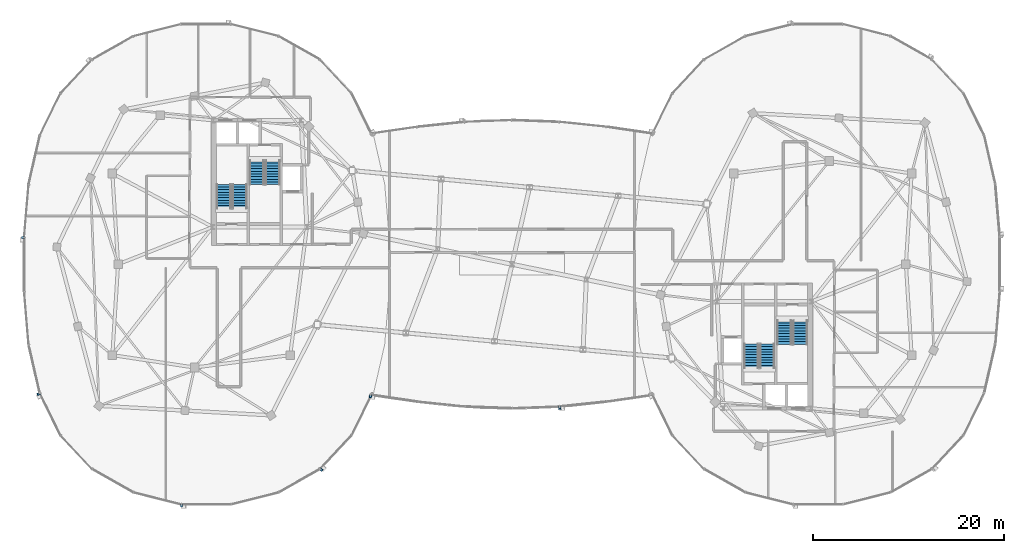
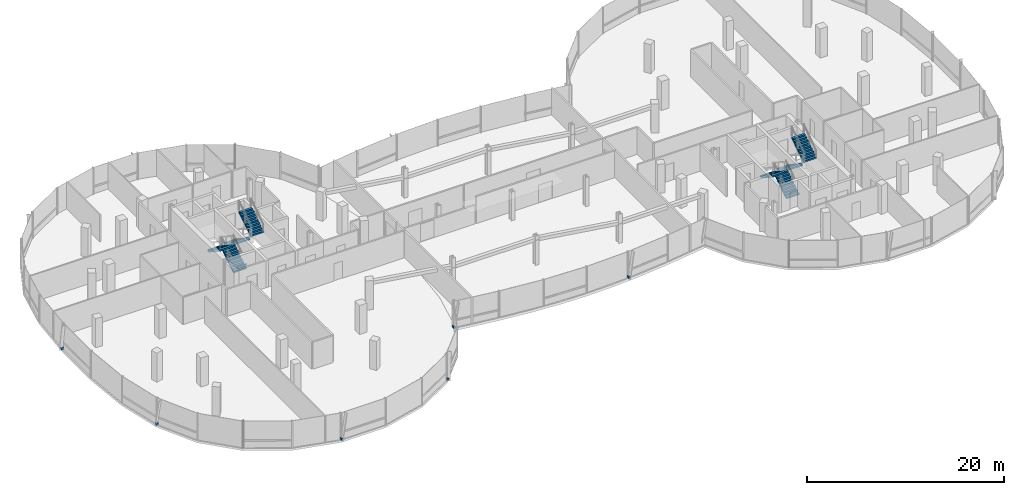
# One storey, part 17 of 25: 8 stair flights, 6 discrete accessories, 4 elements without a shape of their own.
"""IFC4 building model written with IfcOpenShell, lengths in metres."""

from ifc_helpers import new_model, si_unit, direction, frame, origin, origin_2d, place, context, subcontext, project, spatial, polyline, rectangle, outline, extrude, material, type_object, element, aggregate, save


model = new_model("IFC4")

# Units and contexts
model_context = context("Model", 3, precision=1e-05, world=origin(), true_north=direction((0.0, 1.0)))
body_context = subcontext(model_context, "Body", "Model", "MODEL_VIEW")
ifc_project = project(units=[si_unit("LENGTHUNIT", "METRE"), si_unit("AREAUNIT", "SQUARE_METRE"), si_unit("VOLUMEUNIT", "CUBIC_METRE"), si_unit("PLANEANGLEUNIT", "RADIAN"), si_unit("MASSUNIT", "GRAM", prefix="KILO"), si_unit("THERMODYNAMICTEMPERATUREUNIT", "KELVIN"), si_unit("POWERUNIT", "WATT")], contexts=[model_context])

# Site, building, storey
site_placement = place(None, origin())
site = spatial("IfcSite", under=ifc_project, at=site_placement, CompositionType="ELEMENT")
building_placement = place(site_placement, origin())
building = spatial("IfcBuilding", under=site, at=building_placement, Name="Cundina Bronze Exchange", CompositionType="ELEMENT")
storey_placement = place(building_placement, frame((0.0, 0.0, 239.60009765625)))
storey = spatial("IfcBuildingStorey", under=building, at=storey_placement, Name="L63", CompositionType="ELEMENT", Elevation=239.60009765625)

# Stair, stair flights
ifc_material_1 = material(Name="Concrete C40/50", Category="concrete")
stair_type = type_object("IfcStairType", Name="STR-OFF-360", PredefinedType="HALF_TURN_STAIR", material=ifc_material_1)
stair_1_placement = place(storey_placement, origin())
stair_1 = element("IfcStair", 1, at=stair_1_placement, inside=storey, type_object=stair_type, Name="L63 Smokeproof Exit Stair W1", PredefinedType="HALF_TURN_STAIR")
stair_flight_type = type_object("IfcStairFlightType", Name="FLG-OFF-180", PredefinedType="STRAIGHT", material=ifc_material_1)
stair_flight_1_placement = place(storey_placement, frame((-28.489990234375, 5.85009765625, 0.0), z_axis=(0.0, 0.0, 1.0), x_axis=(0.0, 1.0, 0.0)))
stair_flight_1 = element("IfcStairFlight", 2, at=stair_flight_1_placement, type_object=stair_flight_type, Name="ST-W1 flight 1", NumberOfRisers=10, NumberOfTreads=9, PredefinedType="STRAIGHT", RiserHeight=0.18, TreadLength=0.28, context=body_context, shape_type="SweptSolid", body=[
    extrude(outline(polyline([(0.0, 0.0), (0.0, 0.179931640625), (0.280029296875, 0.179931640625), (0.280029296875, 0.360107421875), (0.56005859375, 0.360107421875), (0.56005859375, 0.5400390625), (0.840087890625, 0.5400390625), (0.840087890625, 0.719970703125), (1.1201171875, 0.719970703125), (1.1201171875, 0.89990234375), (1.39990234375, 0.89990234375), (1.39990234375, 1.080078125), (1.679931640625, 1.080078125), (1.679931640625, 1.260009765625), (1.9599609375, 1.260009765625), (1.9599609375, 1.43994140625), (2.239990234375, 1.43994140625), (2.239990234375, 1.6201171875), (2.52001953125, 1.6201171875), (2.52001953125, 1.800048828125), (2.52001953125, 1.44189453125), (0.277099609375, 0.0), (0.0, 0.0)])), frame((0.0, 0.75, 0.0), z_axis=(0.0, -1.0, 0.0), x_axis=(1.0, 0.0, 0.0)), (0.0, 0.0, 1.0), 1.5),
])
stair_flight_2_placement = place(storey_placement, frame((-30.14990234375, 8.3701171875, 1.7998046875), z_axis=(0.0, 0.0, 1.0), x_axis=(0.0, -1.0, 0.0)))
stair_flight_2 = element("IfcStairFlight", 3, at=stair_flight_2_placement, type_object=stair_flight_type, Name="ST-W1 flight 2", NumberOfRisers=10, NumberOfTreads=9, PredefinedType="STRAIGHT", RiserHeight=0.18, TreadLength=0.28, context=body_context, shape_type="SweptSolid", body=[
    extrude(outline(polyline([(0.0, 0.0), (0.0, 0.179931640625), (0.280029296875, 0.179931640625), (0.280029296875, 0.360107421875), (0.56005859375, 0.360107421875), (0.56005859375, 0.5400390625), (0.840087890625, 0.5400390625), (0.840087890625, 0.719970703125), (1.1201171875, 0.719970703125), (1.1201171875, 0.89990234375), (1.39990234375, 0.89990234375), (1.39990234375, 1.080078125), (1.679931640625, 1.080078125), (1.679931640625, 1.260009765625), (1.9599609375, 1.260009765625), (1.9599609375, 1.43994140625), (2.239990234375, 1.43994140625), (2.239990234375, 1.6201171875), (2.52001953125, 1.6201171875), (2.52001953125, 1.800048828125), (2.52001953125, 1.44189453125), (0.277099609375, 0.0), (0.0, 0.0)])), frame((0.0, 0.75, 0.0), z_axis=(0.0, -1.0, 0.0), x_axis=(1.0, 0.0, 0.0)), (0.0, 0.0, 1.0), 1.5),
])
aggregate(stair_1, [stair_flight_1, stair_flight_2])

stair_2_placement = place(storey_placement, origin())
stair_2 = element("IfcStair", 4, at=stair_2_placement, inside=storey, type_object=stair_type, Name="L63 Smokeproof Exit Stair W2", PredefinedType="HALF_TURN_STAIR")
stair_flight_3_placement = place(storey_placement, frame((-26.68994140625, 10.85009765625, 0.0), z_axis=(0.0, 0.0, 1.0), x_axis=(0.0, -1.0, 0.0)))
stair_flight_3 = element("IfcStairFlight", 5, at=stair_flight_3_placement, type_object=stair_flight_type, Name="ST-W2 flight 1", NumberOfRisers=10, NumberOfTreads=9, PredefinedType="STRAIGHT", RiserHeight=0.18, TreadLength=0.28, context=body_context, shape_type="SweptSolid", body=[
    extrude(outline(polyline([(0.0, 0.0), (0.0, 0.179931640625), (0.280029296875, 0.179931640625), (0.280029296875, 0.360107421875), (0.56005859375, 0.360107421875), (0.56005859375, 0.5400390625), (0.840087890625, 0.5400390625), (0.840087890625, 0.719970703125), (1.1201171875, 0.719970703125), (1.1201171875, 0.89990234375), (1.39990234375, 0.89990234375), (1.39990234375, 1.080078125), (1.679931640625, 1.080078125), (1.679931640625, 1.260009765625), (1.9599609375, 1.260009765625), (1.9599609375, 1.43994140625), (2.239990234375, 1.43994140625), (2.239990234375, 1.6201171875), (2.52001953125, 1.6201171875), (2.52001953125, 1.800048828125), (2.52001953125, 1.44189453125), (0.277099609375, 0.0), (0.0, 0.0)])), frame((0.0, 0.75, 0.0), z_axis=(0.0, -1.0, 0.0), x_axis=(1.0, 0.0, 0.0)), (0.0, 0.0, 1.0), 1.5),
])
stair_flight_4_placement = place(storey_placement, frame((-25.030029296875, 8.330078125, 1.7998046875), z_axis=(0.0, 0.0, 1.0), x_axis=(0.0, 1.0, 0.0)))
stair_flight_4 = element("IfcStairFlight", 6, at=stair_flight_4_placement, type_object=stair_flight_type, Name="ST-W2 flight 2", NumberOfRisers=10, NumberOfTreads=9, PredefinedType="STRAIGHT", RiserHeight=0.18, TreadLength=0.28, context=body_context, shape_type="SweptSolid", body=[
    extrude(outline(polyline([(0.0, 0.0), (0.0, 0.179931640625), (0.280029296875, 0.179931640625), (0.280029296875, 0.360107421875), (0.56005859375, 0.360107421875), (0.56005859375, 0.5400390625), (0.840087890625, 0.5400390625), (0.840087890625, 0.719970703125), (1.1201171875, 0.719970703125), (1.1201171875, 0.89990234375), (1.39990234375, 0.89990234375), (1.39990234375, 1.080078125), (1.679931640625, 1.080078125), (1.679931640625, 1.260009765625), (1.9599609375, 1.260009765625), (1.9599609375, 1.43994140625), (2.239990234375, 1.43994140625), (2.239990234375, 1.6201171875), (2.52001953125, 1.6201171875), (2.52001953125, 1.800048828125), (2.52001953125, 1.44189453125), (0.277099609375, 0.0), (0.0, 0.0)])), frame((0.0, 0.75, 0.0), z_axis=(0.0, -1.0, 0.0), x_axis=(1.0, 0.0, 0.0)), (0.0, 0.0, 1.0), 1.5),
])
aggregate(stair_2, [stair_flight_3, stair_flight_4])

stair_3_placement = place(storey_placement, origin())
stair_3 = element("IfcStair", 7, at=stair_3_placement, inside=storey, type_object=stair_type, Name="L63 Smokeproof Exit Stair E1", PredefinedType="HALF_TURN_STAIR")
stair_flight_5_placement = place(storey_placement, frame((28.489990234375, -5.85009765625, 0.0), z_axis=(0.0, 0.0, 1.0), x_axis=(0.0, -1.0, 0.0)))
stair_flight_5 = element("IfcStairFlight", 8, at=stair_flight_5_placement, type_object=stair_flight_type, Name="ST-E1 flight 1", NumberOfRisers=10, NumberOfTreads=9, PredefinedType="STRAIGHT", RiserHeight=0.18, TreadLength=0.28, context=body_context, shape_type="SweptSolid", body=[
    extrude(outline(polyline([(0.0, 0.0), (0.0, 0.179931640625), (0.280029296875, 0.179931640625), (0.280029296875, 0.360107421875), (0.56005859375, 0.360107421875), (0.56005859375, 0.5400390625), (0.840087890625, 0.5400390625), (0.840087890625, 0.719970703125), (1.1201171875, 0.719970703125), (1.1201171875, 0.89990234375), (1.39990234375, 0.89990234375), (1.39990234375, 1.080078125), (1.679931640625, 1.080078125), (1.679931640625, 1.260009765625), (1.9599609375, 1.260009765625), (1.9599609375, 1.43994140625), (2.239990234375, 1.43994140625), (2.239990234375, 1.6201171875), (2.52001953125, 1.6201171875), (2.52001953125, 1.800048828125), (2.52001953125, 1.44189453125), (0.277099609375, 0.0), (0.0, 0.0)])), frame((0.0, 0.75, 0.0), z_axis=(0.0, -1.0, 0.0), x_axis=(1.0, 0.0, 0.0)), (0.0, 0.0, 1.0), 1.5),
])
stair_flight_6_placement = place(storey_placement, frame((30.14990234375, -8.3701171875, 1.7998046875), z_axis=(0.0, 0.0, 1.0), x_axis=(0.0, 1.0, 0.0)))
stair_flight_6 = element("IfcStairFlight", 9, at=stair_flight_6_placement, type_object=stair_flight_type, Name="ST-E1 flight 2", NumberOfRisers=10, NumberOfTreads=9, PredefinedType="STRAIGHT", RiserHeight=0.18, TreadLength=0.28, context=body_context, shape_type="SweptSolid", body=[
    extrude(outline(polyline([(0.0, 0.0), (0.0, 0.179931640625), (0.280029296875, 0.179931640625), (0.280029296875, 0.360107421875), (0.56005859375, 0.360107421875), (0.56005859375, 0.5400390625), (0.840087890625, 0.5400390625), (0.840087890625, 0.719970703125), (1.1201171875, 0.719970703125), (1.1201171875, 0.89990234375), (1.39990234375, 0.89990234375), (1.39990234375, 1.080078125), (1.679931640625, 1.080078125), (1.679931640625, 1.260009765625), (1.9599609375, 1.260009765625), (1.9599609375, 1.43994140625), (2.239990234375, 1.43994140625), (2.239990234375, 1.6201171875), (2.52001953125, 1.6201171875), (2.52001953125, 1.800048828125), (2.52001953125, 1.44189453125), (0.277099609375, 0.0), (0.0, 0.0)])), frame((0.0, 0.75, 0.0), z_axis=(0.0, -1.0, 0.0), x_axis=(1.0, 0.0, 0.0)), (0.0, 0.0, 1.0), 1.5),
])
aggregate(stair_3, [stair_flight_5, stair_flight_6])

stair_4_placement = place(storey_placement, origin())
stair_4 = element("IfcStair", 10, at=stair_4_placement, inside=storey, type_object=stair_type, Name="L63 Smokeproof Exit Stair E2", PredefinedType="HALF_TURN_STAIR")
stair_flight_7_placement = place(storey_placement, frame((26.68994140625, -10.85009765625, 0.0), z_axis=(0.0, 0.0, 1.0), x_axis=(0.0, 1.0, 0.0)))
stair_flight_7 = element("IfcStairFlight", 11, at=stair_flight_7_placement, type_object=stair_flight_type, Name="ST-E2 flight 1", NumberOfRisers=10, NumberOfTreads=9, PredefinedType="STRAIGHT", RiserHeight=0.18, TreadLength=0.28, context=body_context, shape_type="SweptSolid", body=[
    extrude(outline(polyline([(0.0, 0.0), (0.0, 0.179931640625), (0.280029296875, 0.179931640625), (0.280029296875, 0.360107421875), (0.56005859375, 0.360107421875), (0.56005859375, 0.5400390625), (0.840087890625, 0.5400390625), (0.840087890625, 0.719970703125), (1.1201171875, 0.719970703125), (1.1201171875, 0.89990234375), (1.39990234375, 0.89990234375), (1.39990234375, 1.080078125), (1.679931640625, 1.080078125), (1.679931640625, 1.260009765625), (1.9599609375, 1.260009765625), (1.9599609375, 1.43994140625), (2.239990234375, 1.43994140625), (2.239990234375, 1.6201171875), (2.52001953125, 1.6201171875), (2.52001953125, 1.800048828125), (2.52001953125, 1.44189453125), (0.277099609375, 0.0), (0.0, 0.0)])), frame((0.0, 0.75, 0.0), z_axis=(0.0, -1.0, 0.0), x_axis=(1.0, 0.0, 0.0)), (0.0, 0.0, 1.0), 1.5),
])
stair_flight_8_placement = place(storey_placement, frame((25.030029296875, -8.330078125, 1.7998046875), z_axis=(0.0, 0.0, 1.0), x_axis=(0.0, -1.0, 0.0)))
stair_flight_8 = element("IfcStairFlight", 12, at=stair_flight_8_placement, type_object=stair_flight_type, Name="ST-E2 flight 2", NumberOfRisers=10, NumberOfTreads=9, PredefinedType="STRAIGHT", RiserHeight=0.18, TreadLength=0.28, context=body_context, shape_type="SweptSolid", body=[
    extrude(outline(polyline([(0.0, 0.0), (0.0, 0.179931640625), (0.280029296875, 0.179931640625), (0.280029296875, 0.360107421875), (0.56005859375, 0.360107421875), (0.56005859375, 0.5400390625), (0.840087890625, 0.5400390625), (0.840087890625, 0.719970703125), (1.1201171875, 0.719970703125), (1.1201171875, 0.89990234375), (1.39990234375, 0.89990234375), (1.39990234375, 1.080078125), (1.679931640625, 1.080078125), (1.679931640625, 1.260009765625), (1.9599609375, 1.260009765625), (1.9599609375, 1.43994140625), (2.239990234375, 1.43994140625), (2.239990234375, 1.6201171875), (2.52001953125, 1.6201171875), (2.52001953125, 1.800048828125), (2.52001953125, 1.44189453125), (0.277099609375, 0.0), (0.0, 0.0)])), frame((0.0, 0.75, 0.0), z_axis=(0.0, -1.0, 0.0), x_axis=(1.0, 0.0, 0.0)), (0.0, 0.0, 1.0), 1.5),
])
aggregate(stair_4, [stair_flight_7, stair_flight_8])

# Discrete accessories
ifc_material_2 = material(Name="Anodised Bronze Aluminium 6063-T6", Category="aluminium")
discrete_accessory_type = type_object("IfcDiscreteAccessoryType", Name="ACC-BRK-FIN", PredefinedType="BRACKET", material=ifc_material_2)
for number, where, z_axis, x_axis, name in (
    (13, (-51.158935546875, 2.79150390625, 0.10009765625), (0.0, 0.0, 1.0), (0.0, -1.0, 0.0), "L63 Fin Support Bracket 5"),
    (14, (-49.494873046875, -13.565673828125, 0.10009765625), (0.0, 0.0, 1.0), (0.440503330345, -0.897750976582, 0.0), "L63 Fin Support Bracket 1"),
    (15, (-34.576416015625, -25.25, 0.10009765625), (0.0, 0.0, 1.0), (1.0, 0.0, 0.0), "L63 Fin Support Bracket 5"),
    (16, (-19.957763671875, -21.4755859375, 0.10009765625), (0.0, 0.0, 1.0), (0.684343512797, 0.72915976061, 0.0), "L63 Fin Support Bracket 1"),
    (17, (-14.799560546875, -13.79736328125, 0.10009765625), (0.0, 0.0, 1.0), (0.989528308409, -0.144338930496, 0.0), "L63 Fin Support Bracket 1"),
    (18, (5.003173828125, -15.01953125, 0.10009765625), (0.0, 0.0, 1.0), (0.994672274174, 0.103087666525, 0.0), "L63 Fin Support Bracket 5"),
):
    element("IfcDiscreteAccessory", number, at=place(storey_placement, frame(where, z_axis=z_axis, x_axis=x_axis)), inside=storey, type_object=discrete_accessory_type, Name=name, PredefinedType="BRACKET", context=body_context, shape_type="SweptSolid", body=[
        extrude(rectangle(XDim=0.219970703125, YDim=0.320068359375, at=origin_2d()), origin(), (0.0, 0.0, 1.0), 0.239990234375),
    ])

save(model, "model.ifc")
